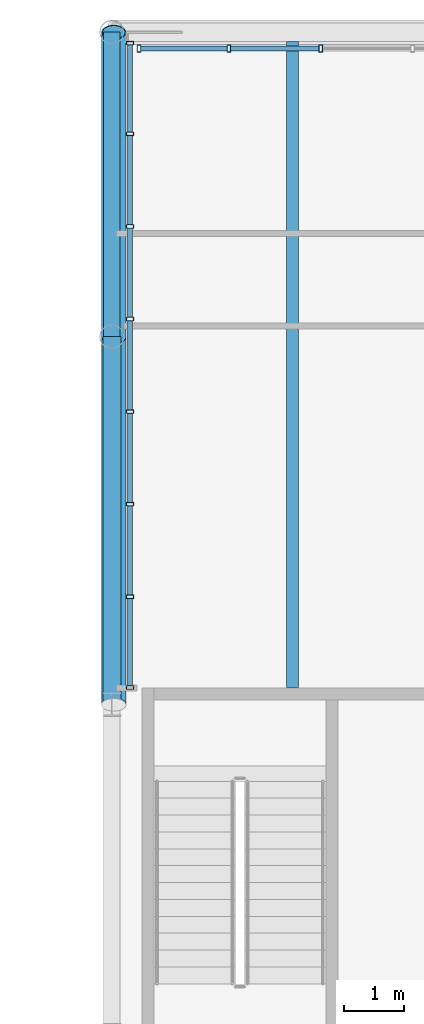
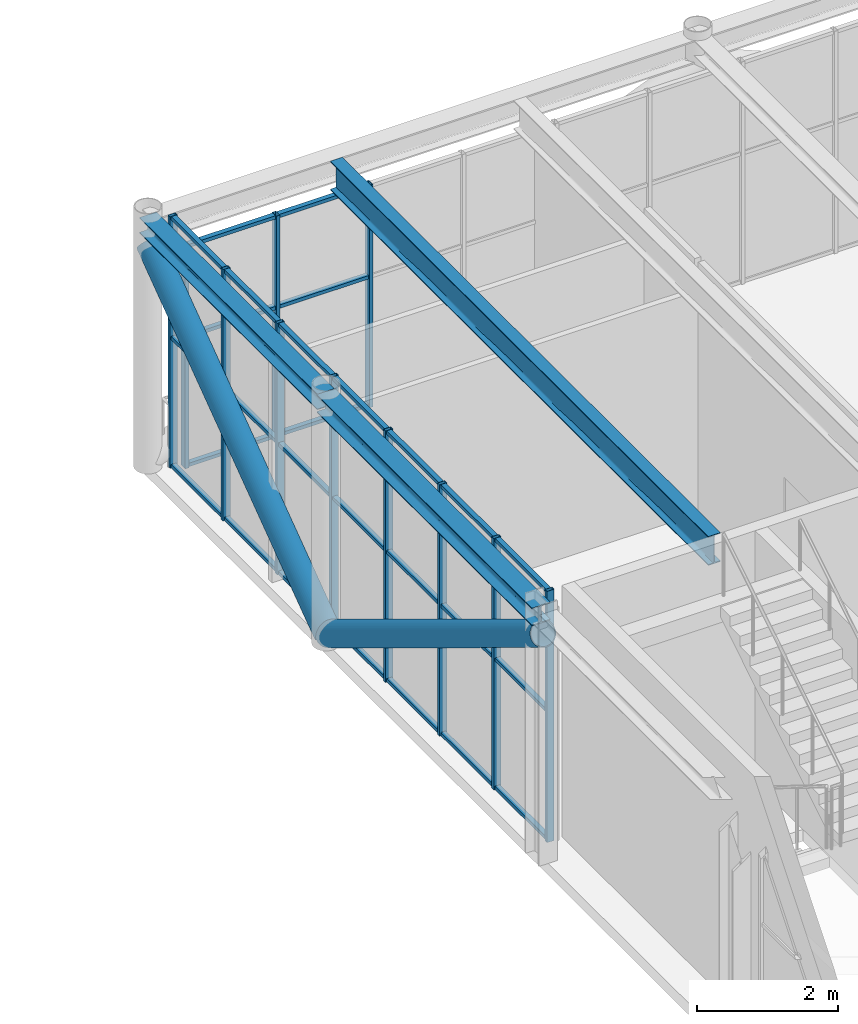
# One storey, part 41 of 149: 40 members, 3 beams, 2 elements without a shape of their own.
"""IFC4 building model written with IfcOpenShell, lengths in metres."""

import ifcopenshell
import ifcopenshell.guid

model = None  # the IFC model being written
_history = None  # IfcOwnerHistory: only IFC2X3 demands one
_inside = {}  # id of a spatial element -> (the spatial element, [elements in it])
_under = {}  # id of a project, library or spatial element -> (it, [spatial elements below it])
_declared = {}  # id of a project -> (the project, [libraries it declares])
_typed = {}  # id of a type object -> (the type object, [elements of that type])
_made_of = {}  # id of a material, layer set ... -> (it, [elements and type objects made of it])


def new_model(schema):
    """Start an empty IFC model of exactly this schema.

    Asked for "IFC4X3", IfcOpenShell would pick the latest addendum, in which some entities
    have other attributes; the version numbers below select the first issue.
    IFC2X3 requires an IfcOwnerHistory on every rooted entity: one is made here for all.
    """
    global model, _history
    if schema == "IFC4X3":
        model = ifcopenshell.file(schema_version=(4, 3, 0, 0))
    else:
        model = ifcopenshell.file(schema=schema)
    _inside.clear()
    _under.clear()
    _declared.clear()
    _typed.clear()
    _made_of.clear()
    _history = None
    if model.schema == "IFC2X3":
        org = make("IfcOrganization", Name="unknown")
        user = make(
            "IfcPersonAndOrganization",
            ThePerson=make("IfcPerson", FamilyName="unknown"),
            TheOrganization=org,
        )
        app = make(
            "IfcApplication",
            ApplicationDeveloper=org,
            Version="unknown",
            ApplicationFullName="unknown",
            ApplicationIdentifier="unknown",
        )
        _history = make(
            "IfcOwnerHistory",
            OwningUser=user,
            OwningApplication=app,
            ChangeAction="ADDED",
            CreationDate=0,
        )
    return model


def make(cls, **values):
    """One entity of the class cls with the attributes given. An attribute that is None is left unset."""
    return model.create_entity(
        cls, **{name: value for name, value in values.items() if value is not None}
    )


def rooted(cls, **values):
    """An entity with a GlobalId (a new one), such as an element, a storey or a relation."""
    return make(cls, GlobalId=ifcopenshell.guid.new(), OwnerHistory=_history, **values)


def si_unit(unit_type, name, prefix=None):
    """IfcSIUnit, for example si_unit("LENGTHUNIT", "METRE", prefix="MILLI")."""
    return make("IfcSIUnit", UnitType=unit_type, Prefix=prefix, Name=name)


def assignment(units):
    """IfcUnitAssignment: the units of a project."""
    return None if units is None else make("IfcUnitAssignment", Units=units)


def point(xyz):
    """IfcCartesianPoint."""
    return None if xyz is None else make("IfcCartesianPoint", Coordinates=xyz)


def direction(xyz):
    """IfcDirection."""
    return None if xyz is None else make("IfcDirection", DirectionRatios=xyz)


def frame(location, z_axis=None, x_axis=None):
    """IfcAxis2Placement3D, a coordinate frame: its origin and axes. An axis left out is left unset."""
    return make(
        "IfcAxis2Placement3D",
        Location=point(location),
        Axis=direction(z_axis),
        RefDirection=direction(x_axis),
    )


def frame_2d(location, x_axis=None):
    """IfcAxis2Placement2D, a coordinate frame in the plane: its origin and x axis."""
    return make(
        "IfcAxis2Placement2D", Location=point(location), RefDirection=direction(x_axis)
    )


def origin():
    """The frame at (0, 0, 0) with its axes left unset."""
    return frame((0.0, 0.0, 0.0))


def origin_2d():
    """The frame at (0, 0) in the plane with its x axis left unset."""
    return frame_2d((0.0, 0.0))


def place(relative_to, where):
    """IfcLocalPlacement: puts the frame where relative to a parent placement (None: the world)."""
    return make(
        "IfcLocalPlacement", PlacementRelTo=relative_to, RelativePlacement=where
    )


def context(
    kind, dimensions, precision=None, world=None, true_north=None, identifier=None
):
    """IfcGeometricRepresentationContext, for example the 3D "Model" context."""
    return make(
        "IfcGeometricRepresentationContext",
        ContextIdentifier=identifier,
        ContextType=kind,
        CoordinateSpaceDimension=dimensions,
        Precision=precision,
        WorldCoordinateSystem=world,
        TrueNorth=true_north,
    )


def subcontext(parent, identifier, kind, view, scale=None):
    """IfcGeometricRepresentationSubContext, for example "Body" below "Model"."""
    return make(
        "IfcGeometricRepresentationSubContext",
        ContextIdentifier=identifier,
        ContextType=kind,
        ParentContext=parent,
        TargetScale=scale,
        TargetView=view,
    )


def project(units=None, contexts=None):
    """IfcProject with its units and contexts."""
    return rooted(
        "IfcProject",
        Name="project",
        RepresentationContexts=contexts,
        UnitsInContext=assignment(units),
    )


def spatial(cls, under=None, at=None, **own):
    """A site, building, storey or space (cls), placed at a placement, below another one or the project."""
    s = rooted(cls, ObjectPlacement=at, **own)
    if under is not None:
        _under.setdefault(under.id(), (under, []))[1].append(s)
    return s


def profile(cls, at=None, kind="AREA", **sizes):
    """A parametric profile (cls). Its sizes go by their IFC names, for example OverallWidth=200.0."""
    return make(cls, ProfileType=kind, Position=at, **sizes)


def hollow_rectangle(**sizes):
    """IfcRectangleHollowProfileDef."""
    return profile("IfcRectangleHollowProfileDef", **sizes)


def hollow_circle(**sizes):
    """IfcCircleHollowProfileDef."""
    return profile("IfcCircleHollowProfileDef", **sizes)


def i_section(**sizes):
    """IfcIShapeProfileDef."""
    return profile("IfcIShapeProfileDef", **sizes)


def extrude(swept, where, along, depth):
    """IfcExtrudedAreaSolid: the profile swept, set in the frame where, extruded along a direction by depth."""
    return make(
        "IfcExtrudedAreaSolid",
        SweptArea=swept,
        Position=where,
        ExtrudedDirection=direction(along),
        Depth=depth,
    )


def shape(context_of_items, identifier, shape_type, items):
    """IfcShapeRepresentation: the items that make up one representation, for example the "Body"."""
    return make(
        "IfcShapeRepresentation",
        ContextOfItems=context_of_items,
        RepresentationIdentifier=identifier,
        RepresentationType=shape_type,
        Items=items,
    )


def material(Name=None, Category=None):
    """IfcMaterial."""
    return make("IfcMaterial", Name=Name, Category=Category)


def layer(
    of_material, thickness, ventilated=None, Name=None, Category=None, Priority=None
):
    """IfcMaterialLayer: one layer of a wall or slab, of a material (None: an air gap)."""
    return make(
        "IfcMaterialLayer",
        Material=of_material,
        LayerThickness=thickness,
        IsVentilated=ventilated,
        Name=Name,
        Category=Category,
        Priority=Priority,
    )


def layer_set(layers, Name=None):
    """IfcMaterialLayerSet."""
    return make("IfcMaterialLayerSet", MaterialLayers=layers, LayerSetName=Name)


def material_profile(
    of_material, cross_section, Name=None, Category=None, Priority=None
):
    """IfcMaterialProfile: a cross section and its material."""
    return make(
        "IfcMaterialProfile",
        Name=Name,
        Material=of_material,
        Profile=cross_section,
        Priority=Priority,
        Category=Category,
    )


def profile_set(profiles, Name=None, composite=None):
    """IfcMaterialProfileSet."""
    return make(
        "IfcMaterialProfileSet",
        Name=Name,
        MaterialProfiles=profiles,
        CompositeProfile=composite,
    )


def made_of(thing, what):
    """Note that an element or type object is made of a material, layer set ...; save() writes the relation."""
    if what is not None:
        _made_of.setdefault(what.id(), (what, []))[1].append(thing)
    return thing


def type_object(cls, material=None, **own):
    """A type object (cls), such as IfcWallType, which elements share."""
    return made_of(rooted(cls, **own), material)


def element(
    cls,
    number,
    at=None,
    inside=None,
    cuts=None,
    type_object=None,
    material=None,
    context=None,
    identifier="Body",
    shape_type=None,
    held_by="IfcProductDefinitionShape",
    body=None,
    shapes=None,
    **own,
):
    """One element of the class cls, such as IfcWall. Its Tag is "e" and its number.

    at: its placement. inside: the storey or other place that contains it. cuts: it is an
    opening in that element (IfcRelVoidsElement). A single representation is given by context,
    identifier, shape_type and body (its items); several are given by shapes. held_by: the class
    of the entity that holds the representations. save() writes the other relations.
    """
    e = rooted(cls, Tag="e%d" % number, ObjectPlacement=at, **own)
    if body is not None:
        shapes = [shape(context, identifier, shape_type, body)]
    if shapes is not None:
        e.Representation = make(held_by, Representations=shapes)
    if inside is not None:
        _inside.setdefault(inside.id(), (inside, []))[1].append(e)
    if cuts is not None:
        rooted(
            "IfcRelVoidsElement", RelatingBuildingElement=cuts, RelatedOpeningElement=e
        )
    if type_object is not None:
        _typed.setdefault(type_object.id(), (type_object, []))[1].append(e)
    return made_of(e, material)


def aggregate(whole, parts):
    """IfcRelAggregates: a whole, such as a stair, and the parts it consists of."""
    return rooted("IfcRelAggregates", RelatingObject=whole, RelatedObjects=parts)


def save(model, path):
    """Write the relations noted so far, then the file.

    IfcRelAggregates (storeys below a building ...), IfcRelContainedInSpatialStructure (elements
    in a storey), IfcRelDefinesByType, IfcRelAssociatesMaterial and IfcRelDeclares: one each for
    every whole, place, type object, material and project.
    """
    for whole, parts in _under.values():
        aggregate(whole, parts)
    for where, things in _inside.values():
        rooted(
            "IfcRelContainedInSpatialStructure",
            RelatedElements=things,
            RelatingStructure=where,
        )
    for kind, things in _typed.values():
        rooted("IfcRelDefinesByType", RelatedObjects=things, RelatingType=kind)
    for what, things in _made_of.values():
        rooted("IfcRelAssociatesMaterial", RelatedObjects=things, RelatingMaterial=what)
    for by, libraries in _declared.values():
        rooted("IfcRelDeclares", RelatingContext=by, RelatedDefinitions=libraries)
    model.write(path)


model = new_model("IFC4")

# Units and contexts
model_context = context("Model", 3, precision=1e-05, world=origin(), true_north=direction((0.0, 1.0)))
body_context = subcontext(model_context, "Body", "Model", "MODEL_VIEW")
ifc_project = project(units=[si_unit("LENGTHUNIT", "METRE"), si_unit("AREAUNIT", "SQUARE_METRE"), si_unit("VOLUMEUNIT", "CUBIC_METRE"), si_unit("PLANEANGLEUNIT", "RADIAN"), si_unit("MASSUNIT", "GRAM", prefix="KILO")], contexts=[model_context])

# Site, building, storey
site_placement = place(None, origin())
site = spatial("IfcSite", under=ifc_project, at=site_placement, CompositionType="ELEMENT")
building_placement = place(site_placement, origin())
building = spatial("IfcBuilding", under=site, at=building_placement, Name="Kallimachos Central Library", CompositionType="ELEMENT")
storey_placement = place(building_placement, frame((0.0, 0.0, 9.89990234375)))
storey = spatial("IfcBuildingStorey", under=building, at=storey_placement, Name="L02", CompositionType="ELEMENT", Elevation=9.89990234375)

# Members
ifc_material_1 = material(Name="Steel S355J2H", Category="steel")
ifc_material_profile_1 = material_profile(ifc_material_1, hollow_circle(Radius=0.203125, WallThickness=0.01611328125, at=origin_2d()), Name="CHS 406.4x16")
ifc_profile_set_1 = profile_set([ifc_material_profile_1], Name="Steel S355J2H")
member_type_1 = type_object("IfcMemberType", Name="CHS 406.4x16 brace", PredefinedType="BRACE", material=ifc_profile_set_1)
member_1_placement = place(storey_placement, frame((65.53173828125, 110.5, 3.85009765625), z_axis=(0.0, 0.855016223334, -0.518601251286), x_axis=(-1.0, 0.0, 0.0)))
element("IfcMember", 1, at=member_1_placement, inside=storey, type_object=member_type_1, Name="Cantilever truss diagonal 65.5 L02.1", PredefinedType="BRACE", context=body_context, shape_type="SweptSolid", body=[
    extrude(hollow_circle(Radius=0.203125, WallThickness=0.01611328125, at=origin_2d()), origin(), (0.0, 0.0, 1.0), 7.134521484375),
])
member_2_placement = place(storey_placement, frame((65.53173828125, 116.60009765625, 0.150146484375), z_axis=(0.0, 0.806651655217, 0.591027162774), x_axis=(-1.0, 0.0, 0.0)))
element("IfcMember", 2, at=member_2_placement, inside=storey, type_object=member_type_1, Name="Cantilever truss diagonal 65.5 L02.2", PredefinedType="BRACE", context=body_context, shape_type="SweptSolid", body=[
    extrude(hollow_circle(Radius=0.203125, WallThickness=0.01611328125, at=origin_2d()), origin(), (0.0, 0.0, 1.0), 6.26025390625),
])

# Curtain wall, members
ifc_material_2 = material(Name="Anodised aluminium and laminated glass", Category="aluminium")
ifc_layer = layer(ifc_material_2, 0.159912109375)
ifc_layer_set = layer_set([ifc_layer], Name="Glass box curtain wall")
curtain_wall_type = type_object("IfcCurtainWallType", Name="Glass box curtain wall", PredefinedType="NOTDEFINED", material=ifc_layer_set)
curtain_wall_1_placement = place(storey_placement, origin())
curtain_wall_1 = element("IfcCurtainWall", 3, at=curtain_wall_1_placement, inside=storey, type_object=curtain_wall_type, Name="Glass box curtain wall W L02", PredefinedType="NOTDEFINED")
ifc_material_3 = material(Name="Anodised aluminium", Category="aluminium")
ifc_material_profile_2 = material_profile(ifc_material_3, hollow_rectangle(XDim=0.06005859375, YDim=0.1201171875, WallThickness=0.00390625, at=origin_2d()), Name="ALU MULLION 60x120")
ifc_profile_set_2 = profile_set([ifc_material_profile_2], Name="Anodised aluminium")
member_type_2 = type_object("IfcMemberType", Name="Glass box mullion 60x120", PredefinedType="MULLION", material=ifc_profile_set_2)
member_3_placement = place(storey_placement, frame((65.800048828125, 110.780029296875, 0.0), z_axis=(0.0, 0.0, 1.0), x_axis=(0.0, 1.0, 0.0)))
member_3 = element("IfcMember", 4, at=member_3_placement, type_object=member_type_2, Name="CW16 mullion 1", PredefinedType="MULLION", context=body_context, shape_type="SweptSolid", body=[
    extrude(hollow_rectangle(XDim=0.06005859375, YDim=0.1201171875, WallThickness=0.00390625, at=origin_2d()), origin(), (0.0, 0.0, 1.0), 4.35009765625),
])
member_4_placement = place(storey_placement, frame((65.800048828125, 112.28564453125, 0.0), z_axis=(0.0, 0.0, 1.0), x_axis=(0.0, 1.0, 0.0)))
member_4 = element("IfcMember", 5, at=member_4_placement, type_object=member_type_2, Name="CW16 mullion 2", PredefinedType="MULLION", context=body_context, shape_type="SweptSolid", body=[
    extrude(hollow_rectangle(XDim=0.06005859375, YDim=0.1201171875, WallThickness=0.00390625, at=origin_2d()), origin(), (0.0, 0.0, 1.0), 4.35009765625),
])
member_5_placement = place(storey_placement, frame((65.800048828125, 113.821533203125, 0.0), z_axis=(0.0, 0.0, 1.0), x_axis=(0.0, 1.0, 0.0)))
member_5 = element("IfcMember", 6, at=member_5_placement, type_object=member_type_2, Name="CW16 mullion 3", PredefinedType="MULLION", context=body_context, shape_type="SweptSolid", body=[
    extrude(hollow_rectangle(XDim=0.06005859375, YDim=0.1201171875, WallThickness=0.00390625, at=origin_2d()), origin(), (0.0, 0.0, 1.0), 4.35009765625),
])
member_6_placement = place(storey_placement, frame((65.800048828125, 115.357177734375, 0.0), z_axis=(0.0, 0.0, 1.0), x_axis=(0.0, 1.0, 0.0)))
member_6 = element("IfcMember", 7, at=member_6_placement, type_object=member_type_2, Name="CW16 mullion 4", PredefinedType="MULLION", context=body_context, shape_type="SweptSolid", body=[
    extrude(hollow_rectangle(XDim=0.06005859375, YDim=0.1201171875, WallThickness=0.00390625, at=origin_2d()), origin(), (0.0, 0.0, 1.0), 4.35009765625),
])
member_7_placement = place(storey_placement, frame((65.800048828125, 116.892822265625, 0.0), z_axis=(0.0, 0.0, 1.0), x_axis=(0.0, 1.0, 0.0)))
member_7 = element("IfcMember", 8, at=member_7_placement, type_object=member_type_2, Name="CW16 mullion 5", PredefinedType="MULLION", context=body_context, shape_type="SweptSolid", body=[
    extrude(hollow_rectangle(XDim=0.06005859375, YDim=0.1201171875, WallThickness=0.00390625, at=origin_2d()), origin(), (0.0, 0.0, 1.0), 4.35009765625),
])
member_8_placement = place(storey_placement, frame((65.800048828125, 118.428466796875, 0.0), z_axis=(0.0, 0.0, 1.0), x_axis=(0.0, 1.0, 0.0)))
member_8 = element("IfcMember", 9, at=member_8_placement, type_object=member_type_2, Name="CW16 mullion 6", PredefinedType="MULLION", context=body_context, shape_type="SweptSolid", body=[
    extrude(hollow_rectangle(XDim=0.06005859375, YDim=0.1201171875, WallThickness=0.00390625, at=origin_2d()), origin(), (0.0, 0.0, 1.0), 4.35009765625),
])
member_9_placement = place(storey_placement, frame((65.800048828125, 119.96435546875, 0.0), z_axis=(0.0, 0.0, 1.0), x_axis=(0.0, 1.0, 0.0)))
member_9 = element("IfcMember", 10, at=member_9_placement, type_object=member_type_2, Name="CW16 mullion 7", PredefinedType="MULLION", context=body_context, shape_type="SweptSolid", body=[
    extrude(hollow_rectangle(XDim=0.06005859375, YDim=0.1201171875, WallThickness=0.00390625, at=origin_2d()), origin(), (0.0, 0.0, 1.0), 4.35009765625),
])
member_10_placement = place(storey_placement, frame((65.800048828125, 121.469970703125, 0.0), z_axis=(0.0, 0.0, 1.0), x_axis=(0.0, 1.0, 0.0)))
member_10 = element("IfcMember", 11, at=member_10_placement, type_object=member_type_2, Name="CW16 mullion 8", PredefinedType="MULLION", context=body_context, shape_type="SweptSolid", body=[
    extrude(hollow_rectangle(XDim=0.06005859375, YDim=0.1201171875, WallThickness=0.00390625, at=origin_2d()), origin(), (0.0, 0.0, 1.0), 4.35009765625),
])

curtain_wall_2_placement = place(storey_placement, origin())
curtain_wall_2 = element("IfcCurtainWall", 12, at=curtain_wall_2_placement, inside=storey, type_object=curtain_wall_type, Name="Glass box curtain wall N L02", PredefinedType="NOTDEFINED")
member_11_placement = place(storey_placement, frame((65.949951171875, 121.3798828125, 0.0), z_axis=(0.0, 0.0, 1.0), x_axis=(1.0, 0.0, 0.0)))
member_11 = element("IfcMember", 13, at=member_11_placement, type_object=member_type_2, Name="CW20 mullion 1", PredefinedType="MULLION", context=body_context, shape_type="SweptSolid", body=[
    extrude(hollow_rectangle(XDim=0.06005859375, YDim=0.1201171875, WallThickness=0.00390625, at=origin_2d()), origin(), (0.0, 0.0, 1.0), 3.85009765625),
])
member_12_placement = place(storey_placement, frame((67.44287109375, 121.3798828125, 0.0), z_axis=(0.0, 0.0, 1.0), x_axis=(1.0, 0.0, 0.0)))
member_12 = element("IfcMember", 14, at=member_12_placement, type_object=member_type_2, Name="CW20 mullion 2", PredefinedType="MULLION", context=body_context, shape_type="SweptSolid", body=[
    extrude(hollow_rectangle(XDim=0.06005859375, YDim=0.1201171875, WallThickness=0.00390625, at=origin_2d()), origin(), (0.0, 0.0, 1.0), 3.85009765625),
])
member_13_placement = place(storey_placement, frame((68.965576171875, 121.3798828125, 0.0), z_axis=(0.0, 0.0, 1.0), x_axis=(1.0, 0.0, 0.0)))
member_13 = element("IfcMember", 15, at=member_13_placement, type_object=member_type_2, Name="CW20 mullion 3", PredefinedType="MULLION", context=body_context, shape_type="SweptSolid", body=[
    extrude(hollow_rectangle(XDim=0.06005859375, YDim=0.1201171875, WallThickness=0.00390625, at=origin_2d()), origin(), (0.0, 0.0, 1.0), 3.85009765625),
])

# Member
ifc_material_4 = material(Name="Anodised aluminium", Category="aluminium")
ifc_material_profile_3 = material_profile(ifc_material_4, hollow_rectangle(XDim=0.06005859375, YDim=0.080078125, WallThickness=0.00390625, at=origin_2d()), Name="ALU TRANSOM 60x80")
ifc_profile_set_3 = profile_set([ifc_material_profile_3], Name="Anodised aluminium")
member_type_3 = type_object("IfcMemberType", Name="Glass box transom 60x80", PredefinedType="USERDEFINED", material=ifc_profile_set_3)
member_14_placement = place(storey_placement, frame((65.800048828125, 110.81005859375, 0.030029296875), z_axis=(0.0, 1.0, 0.0), x_axis=(0.0, 0.0, 1.0)))
member_14 = element("IfcMember", 16, at=member_14_placement, type_object=member_type_3, Name="CW16 transom 1.1", ObjectType="TRANSOM", PredefinedType="USERDEFINED", context=body_context, shape_type="SweptSolid", body=[
    extrude(hollow_rectangle(XDim=0.06005859375, YDim=0.080078125, WallThickness=0.00390625, at=origin_2d()), origin(), (0.0, 0.0, 1.0), 1.445556640625),
])

member_15_placement = place(storey_placement, frame((65.800048828125, 110.81005859375, 2.25), z_axis=(0.0, 1.0, 0.0), x_axis=(0.0, 0.0, 1.0)))
member_15 = element("IfcMember", 17, at=member_15_placement, type_object=member_type_3, Name="CW16 transom 1.2", ObjectType="TRANSOM", PredefinedType="USERDEFINED", context=body_context, shape_type="SweptSolid", body=[
    extrude(hollow_rectangle(XDim=0.06005859375, YDim=0.080078125, WallThickness=0.00390625, at=origin_2d()), origin(), (0.0, 0.0, 1.0), 1.445556640625),
])

member_16_placement = place(storey_placement, frame((65.800048828125, 110.81005859375, 4.320068359375), z_axis=(0.0, 1.0, 0.0), x_axis=(0.0, 0.0, 1.0)))
member_16 = element("IfcMember", 18, at=member_16_placement, type_object=member_type_3, Name="CW16 transom 1.3", ObjectType="TRANSOM", PredefinedType="USERDEFINED", context=body_context, shape_type="SweptSolid", body=[
    extrude(hollow_rectangle(XDim=0.06005859375, YDim=0.080078125, WallThickness=0.00390625, at=origin_2d()), origin(), (0.0, 0.0, 1.0), 1.445556640625),
])

member_17_placement = place(storey_placement, frame((65.800048828125, 112.315673828125, 0.030029296875), z_axis=(0.0, 1.0, 0.0), x_axis=(0.0, 0.0, 1.0)))
member_17 = element("IfcMember", 19, at=member_17_placement, type_object=member_type_3, Name="CW16 transom 2.1", ObjectType="TRANSOM", PredefinedType="USERDEFINED", context=body_context, shape_type="SweptSolid", body=[
    extrude(hollow_rectangle(XDim=0.06005859375, YDim=0.080078125, WallThickness=0.00390625, at=origin_2d()), origin(), (0.0, 0.0, 1.0), 1.475830078125),
])

member_18_placement = place(storey_placement, frame((65.800048828125, 112.315673828125, 2.25), z_axis=(0.0, 1.0, 0.0), x_axis=(0.0, 0.0, 1.0)))
member_18 = element("IfcMember", 20, at=member_18_placement, type_object=member_type_3, Name="CW16 transom 2.2", ObjectType="TRANSOM", PredefinedType="USERDEFINED", context=body_context, shape_type="SweptSolid", body=[
    extrude(hollow_rectangle(XDim=0.06005859375, YDim=0.080078125, WallThickness=0.00390625, at=origin_2d()), origin(), (0.0, 0.0, 1.0), 1.475830078125),
])

member_19_placement = place(storey_placement, frame((65.800048828125, 112.315673828125, 4.320068359375), z_axis=(0.0, 1.0, 0.0), x_axis=(0.0, 0.0, 1.0)))
member_19 = element("IfcMember", 21, at=member_19_placement, type_object=member_type_3, Name="CW16 transom 2.3", ObjectType="TRANSOM", PredefinedType="USERDEFINED", context=body_context, shape_type="SweptSolid", body=[
    extrude(hollow_rectangle(XDim=0.06005859375, YDim=0.080078125, WallThickness=0.00390625, at=origin_2d()), origin(), (0.0, 0.0, 1.0), 1.475830078125),
])

member_20_placement = place(storey_placement, frame((65.800048828125, 113.851318359375, 0.030029296875), z_axis=(0.0, 1.0, 0.0), x_axis=(0.0, 0.0, 1.0)))
member_20 = element("IfcMember", 22, at=member_20_placement, type_object=member_type_3, Name="CW16 transom 3.1", ObjectType="TRANSOM", PredefinedType="USERDEFINED", context=body_context, shape_type="SweptSolid", body=[
    extrude(hollow_rectangle(XDim=0.06005859375, YDim=0.080078125, WallThickness=0.00390625, at=origin_2d()), origin(), (0.0, 0.0, 1.0), 1.475830078125),
])

member_21_placement = place(storey_placement, frame((65.800048828125, 113.851318359375, 2.25), z_axis=(0.0, 1.0, 0.0), x_axis=(0.0, 0.0, 1.0)))
member_21 = element("IfcMember", 23, at=member_21_placement, type_object=member_type_3, Name="CW16 transom 3.2", ObjectType="TRANSOM", PredefinedType="USERDEFINED", context=body_context, shape_type="SweptSolid", body=[
    extrude(hollow_rectangle(XDim=0.06005859375, YDim=0.080078125, WallThickness=0.00390625, at=origin_2d()), origin(), (0.0, 0.0, 1.0), 1.475830078125),
])

member_22_placement = place(storey_placement, frame((65.800048828125, 113.851318359375, 4.320068359375), z_axis=(0.0, 1.0, 0.0), x_axis=(0.0, 0.0, 1.0)))
member_22 = element("IfcMember", 24, at=member_22_placement, type_object=member_type_3, Name="CW16 transom 3.3", ObjectType="TRANSOM", PredefinedType="USERDEFINED", context=body_context, shape_type="SweptSolid", body=[
    extrude(hollow_rectangle(XDim=0.06005859375, YDim=0.080078125, WallThickness=0.00390625, at=origin_2d()), origin(), (0.0, 0.0, 1.0), 1.475830078125),
])

member_23_placement = place(storey_placement, frame((65.800048828125, 115.38720703125, 0.030029296875), z_axis=(0.0, 1.0, 0.0), x_axis=(0.0, 0.0, 1.0)))
member_23 = element("IfcMember", 25, at=member_23_placement, type_object=member_type_3, Name="CW16 transom 4.1", ObjectType="TRANSOM", PredefinedType="USERDEFINED", context=body_context, shape_type="SweptSolid", body=[
    extrude(hollow_rectangle(XDim=0.06005859375, YDim=0.080078125, WallThickness=0.00390625, at=origin_2d()), origin(), (0.0, 0.0, 1.0), 1.4755859375),
])

member_24_placement = place(storey_placement, frame((65.800048828125, 115.38720703125, 2.25), z_axis=(0.0, 1.0, 0.0), x_axis=(0.0, 0.0, 1.0)))
member_24 = element("IfcMember", 26, at=member_24_placement, type_object=member_type_3, Name="CW16 transom 4.2", ObjectType="TRANSOM", PredefinedType="USERDEFINED", context=body_context, shape_type="SweptSolid", body=[
    extrude(hollow_rectangle(XDim=0.06005859375, YDim=0.080078125, WallThickness=0.00390625, at=origin_2d()), origin(), (0.0, 0.0, 1.0), 1.4755859375),
])

member_25_placement = place(storey_placement, frame((65.800048828125, 115.38720703125, 4.320068359375), z_axis=(0.0, 1.0, 0.0), x_axis=(0.0, 0.0, 1.0)))
member_25 = element("IfcMember", 27, at=member_25_placement, type_object=member_type_3, Name="CW16 transom 4.3", ObjectType="TRANSOM", PredefinedType="USERDEFINED", context=body_context, shape_type="SweptSolid", body=[
    extrude(hollow_rectangle(XDim=0.06005859375, YDim=0.080078125, WallThickness=0.00390625, at=origin_2d()), origin(), (0.0, 0.0, 1.0), 1.4755859375),
])

member_26_placement = place(storey_placement, frame((65.800048828125, 116.9228515625, 0.030029296875), z_axis=(0.0, 1.0, 0.0), x_axis=(0.0, 0.0, 1.0)))
member_26 = element("IfcMember", 28, at=member_26_placement, type_object=member_type_3, Name="CW16 transom 5.1", ObjectType="TRANSOM", PredefinedType="USERDEFINED", context=body_context, shape_type="SweptSolid", body=[
    extrude(hollow_rectangle(XDim=0.06005859375, YDim=0.080078125, WallThickness=0.00390625, at=origin_2d()), origin(), (0.0, 0.0, 1.0), 1.475830078125),
])

member_27_placement = place(storey_placement, frame((65.800048828125, 116.9228515625, 2.25), z_axis=(0.0, 1.0, 0.0), x_axis=(0.0, 0.0, 1.0)))
member_27 = element("IfcMember", 29, at=member_27_placement, type_object=member_type_3, Name="CW16 transom 5.2", ObjectType="TRANSOM", PredefinedType="USERDEFINED", context=body_context, shape_type="SweptSolid", body=[
    extrude(hollow_rectangle(XDim=0.06005859375, YDim=0.080078125, WallThickness=0.00390625, at=origin_2d()), origin(), (0.0, 0.0, 1.0), 1.475830078125),
])

member_28_placement = place(storey_placement, frame((65.800048828125, 116.9228515625, 4.320068359375), z_axis=(0.0, 1.0, 0.0), x_axis=(0.0, 0.0, 1.0)))
member_28 = element("IfcMember", 30, at=member_28_placement, type_object=member_type_3, Name="CW16 transom 5.3", ObjectType="TRANSOM", PredefinedType="USERDEFINED", context=body_context, shape_type="SweptSolid", body=[
    extrude(hollow_rectangle(XDim=0.06005859375, YDim=0.080078125, WallThickness=0.00390625, at=origin_2d()), origin(), (0.0, 0.0, 1.0), 1.475830078125),
])

member_29_placement = place(storey_placement, frame((65.800048828125, 118.45849609375, 0.030029296875), z_axis=(0.0, 1.0, 0.0), x_axis=(0.0, 0.0, 1.0)))
member_29 = element("IfcMember", 31, at=member_29_placement, type_object=member_type_3, Name="CW16 transom 6.1", ObjectType="TRANSOM", PredefinedType="USERDEFINED", context=body_context, shape_type="SweptSolid", body=[
    extrude(hollow_rectangle(XDim=0.06005859375, YDim=0.080078125, WallThickness=0.00390625, at=origin_2d()), origin(), (0.0, 0.0, 1.0), 1.475830078125),
])

member_30_placement = place(storey_placement, frame((65.800048828125, 118.45849609375, 2.25), z_axis=(0.0, 1.0, 0.0), x_axis=(0.0, 0.0, 1.0)))
member_30 = element("IfcMember", 32, at=member_30_placement, type_object=member_type_3, Name="CW16 transom 6.2", ObjectType="TRANSOM", PredefinedType="USERDEFINED", context=body_context, shape_type="SweptSolid", body=[
    extrude(hollow_rectangle(XDim=0.06005859375, YDim=0.080078125, WallThickness=0.00390625, at=origin_2d()), origin(), (0.0, 0.0, 1.0), 1.475830078125),
])

member_31_placement = place(storey_placement, frame((65.800048828125, 118.45849609375, 4.320068359375), z_axis=(0.0, 1.0, 0.0), x_axis=(0.0, 0.0, 1.0)))
member_31 = element("IfcMember", 33, at=member_31_placement, type_object=member_type_3, Name="CW16 transom 6.3", ObjectType="TRANSOM", PredefinedType="USERDEFINED", context=body_context, shape_type="SweptSolid", body=[
    extrude(hollow_rectangle(XDim=0.06005859375, YDim=0.080078125, WallThickness=0.00390625, at=origin_2d()), origin(), (0.0, 0.0, 1.0), 1.475830078125),
])

member_32_placement = place(storey_placement, frame((65.800048828125, 119.994384765625, 0.030029296875), z_axis=(0.0, 1.0, 0.0), x_axis=(0.0, 0.0, 1.0)))
member_32 = element("IfcMember", 34, at=member_32_placement, type_object=member_type_3, Name="CW16 transom 7.1", ObjectType="TRANSOM", PredefinedType="USERDEFINED", context=body_context, shape_type="SweptSolid", body=[
    extrude(hollow_rectangle(XDim=0.06005859375, YDim=0.080078125, WallThickness=0.00390625, at=origin_2d()), origin(), (0.0, 0.0, 1.0), 1.445556640625),
])

member_33_placement = place(storey_placement, frame((65.800048828125, 119.994384765625, 2.25), z_axis=(0.0, 1.0, 0.0), x_axis=(0.0, 0.0, 1.0)))
member_33 = element("IfcMember", 35, at=member_33_placement, type_object=member_type_3, Name="CW16 transom 7.2", ObjectType="TRANSOM", PredefinedType="USERDEFINED", context=body_context, shape_type="SweptSolid", body=[
    extrude(hollow_rectangle(XDim=0.06005859375, YDim=0.080078125, WallThickness=0.00390625, at=origin_2d()), origin(), (0.0, 0.0, 1.0), 1.445556640625),
])

member_34_placement = place(storey_placement, frame((65.800048828125, 119.994384765625, 4.320068359375), z_axis=(0.0, 1.0, 0.0), x_axis=(0.0, 0.0, 1.0)))
member_34 = element("IfcMember", 36, at=member_34_placement, type_object=member_type_3, Name="CW16 transom 7.3", ObjectType="TRANSOM", PredefinedType="USERDEFINED", context=body_context, shape_type="SweptSolid", body=[
    extrude(hollow_rectangle(XDim=0.06005859375, YDim=0.080078125, WallThickness=0.00390625, at=origin_2d()), origin(), (0.0, 0.0, 1.0), 1.445556640625),
])

aggregate(curtain_wall_1, [member_3, member_4, member_5, member_6, member_7, member_8, member_9, member_10, member_14, member_15, member_16, member_17, member_18, member_19, member_20, member_21, member_22, member_23, member_24, member_25, member_26, member_27, member_28, member_29, member_30, member_31, member_32, member_33, member_34])

member_35_placement = place(storey_placement, frame((65.97998046875, 121.3798828125, 0.030029296875), z_axis=(1.0, 0.0, 0.0), x_axis=(0.0, 0.0, 1.0)))
member_35 = element("IfcMember", 37, at=member_35_placement, type_object=member_type_3, Name="CW20 transom 1.1", ObjectType="TRANSOM", PredefinedType="USERDEFINED", context=body_context, shape_type="SweptSolid", body=[
    extrude(hollow_rectangle(XDim=0.06005859375, YDim=0.080078125, WallThickness=0.00390625, at=origin_2d()), origin(), (0.0, 0.0, 1.0), 1.432861328125),
])

member_36_placement = place(storey_placement, frame((65.97998046875, 121.3798828125, 2.25), z_axis=(1.0, 0.0, 0.0), x_axis=(0.0, 0.0, 1.0)))
member_36 = element("IfcMember", 38, at=member_36_placement, type_object=member_type_3, Name="CW20 transom 1.2", ObjectType="TRANSOM", PredefinedType="USERDEFINED", context=body_context, shape_type="SweptSolid", body=[
    extrude(hollow_rectangle(XDim=0.06005859375, YDim=0.080078125, WallThickness=0.00390625, at=origin_2d()), origin(), (0.0, 0.0, 1.0), 1.432861328125),
])

member_37_placement = place(storey_placement, frame((65.97998046875, 121.3798828125, 3.820068359375), z_axis=(1.0, 0.0, 0.0), x_axis=(0.0, 0.0, 1.0)))
member_37 = element("IfcMember", 39, at=member_37_placement, type_object=member_type_3, Name="CW20 transom 1.3", ObjectType="TRANSOM", PredefinedType="USERDEFINED", context=body_context, shape_type="SweptSolid", body=[
    extrude(hollow_rectangle(XDim=0.06005859375, YDim=0.080078125, WallThickness=0.00390625, at=origin_2d()), origin(), (0.0, 0.0, 1.0), 1.432861328125),
])

member_38_placement = place(storey_placement, frame((67.47265625, 121.3798828125, 0.030029296875), z_axis=(1.0, 0.0, 0.0), x_axis=(0.0, 0.0, 1.0)))
member_38 = element("IfcMember", 40, at=member_38_placement, type_object=member_type_3, Name="CW20 transom 2.1", ObjectType="TRANSOM", PredefinedType="USERDEFINED", context=body_context, shape_type="SweptSolid", body=[
    extrude(hollow_rectangle(XDim=0.06005859375, YDim=0.080078125, WallThickness=0.00390625, at=origin_2d()), origin(), (0.0, 0.0, 1.0), 1.462890625),
])

member_39_placement = place(storey_placement, frame((67.47265625, 121.3798828125, 2.25), z_axis=(1.0, 0.0, 0.0), x_axis=(0.0, 0.0, 1.0)))
member_39 = element("IfcMember", 41, at=member_39_placement, type_object=member_type_3, Name="CW20 transom 2.2", ObjectType="TRANSOM", PredefinedType="USERDEFINED", context=body_context, shape_type="SweptSolid", body=[
    extrude(hollow_rectangle(XDim=0.06005859375, YDim=0.080078125, WallThickness=0.00390625, at=origin_2d()), origin(), (0.0, 0.0, 1.0), 1.462890625),
])

member_40_placement = place(storey_placement, frame((67.47265625, 121.3798828125, 3.820068359375), z_axis=(1.0, 0.0, 0.0), x_axis=(0.0, 0.0, 1.0)))
member_40 = element("IfcMember", 42, at=member_40_placement, type_object=member_type_3, Name="CW20 transom 2.3", ObjectType="TRANSOM", PredefinedType="USERDEFINED", context=body_context, shape_type="SweptSolid", body=[
    extrude(hollow_rectangle(XDim=0.06005859375, YDim=0.080078125, WallThickness=0.00390625, at=origin_2d()), origin(), (0.0, 0.0, 1.0), 1.462890625),
])

aggregate(curtain_wall_2, [member_11, member_12, member_13, member_35, member_36, member_37, member_38, member_39, member_40])

# Beams
ifc_material_5 = material(Name="Steel S355J2", Category="steel")
ifc_material_profile_4 = material_profile(ifc_material_5, i_section(OverallWidth=0.280029296875, OverallDepth=0.27001953125, WebThickness=0.008056640625, FlangeThickness=0.012939453125, FilletRadius=0.02392578125, at=origin_2d()), Name="HEA 280")
ifc_profile_set_4 = profile_set([ifc_material_profile_4], Name="Steel S355J2")
beam_type_1 = type_object("IfcBeamType", Name="HEA 280 beam", PredefinedType="BEAM", material=ifc_profile_set_4)
beam_1_placement = place(storey_placement, frame((65.5, 116.60009765625, 4.215087890625), z_axis=(0.0, 1.0, 0.0), x_axis=(-1.0, 0.0, 0.0)))
element("IfcBeam", 43, at=beam_1_placement, inside=storey, type_object=beam_type_1, Name="V1-BEM-L02-024", PredefinedType="BEAM", context=body_context, shape_type="SweptSolid", body=[
    extrude(i_section(OverallWidth=0.280029296875, OverallDepth=0.27001953125, WebThickness=0.008056640625, FlangeThickness=0.012939453125, FilletRadius=0.02392578125, at=origin_2d()), origin(), (0.0, 0.0, 1.0), 5.0498046875),
])
ifc_material_6 = material(Name="Steel S355J2", Category="steel")
ifc_material_profile_5 = material_profile(ifc_material_6, i_section(OverallWidth=0.300048828125, OverallDepth=0.31005859375, WebThickness=0.009033203125, FlangeThickness=0.015380859375, FilletRadius=0.027099609375, at=origin_2d()), Name="HEA 320")
ifc_profile_set_5 = profile_set([ifc_material_profile_5], Name="Steel S355J2")
beam_type_2 = type_object("IfcBeamType", Name="HEA 320 beam", PredefinedType="BEAM", material=ifc_profile_set_5)
beam_2_placement = place(storey_placement, frame((65.5, 110.5, 4.195068359375), z_axis=(0.0, 1.0, 0.0), x_axis=(-1.0, 0.0, 0.0)))
element("IfcBeam", 44, at=beam_2_placement, inside=storey, type_object=beam_type_2, Name="V1-BEM-L02-023", PredefinedType="BEAM", context=body_context, shape_type="SweptSolid", body=[
    extrude(i_section(OverallWidth=0.300048828125, OverallDepth=0.31005859375, WebThickness=0.009033203125, FlangeThickness=0.015380859375, FilletRadius=0.027099609375, at=origin_2d()), origin(), (0.0, 0.0, 1.0), 6.10009765625),
])
ifc_material_7 = material(Name="Steel S355J2", Category="steel")
ifc_material_profile_6 = material_profile(ifc_material_7, i_section(OverallWidth=0.199951171875, OverallDepth=0.5, WebThickness=0.01025390625, FlangeThickness=0.01611328125, FilletRadius=0.02099609375, at=origin_2d()), Name="IPE 500")
ifc_profile_set_6 = profile_set([ifc_material_profile_6], Name="Steel S355J2")
beam_type_3 = type_object("IfcBeamType", Name="IPE 500 beam", PredefinedType="BEAM", material=ifc_profile_set_6)
beam_3_placement = place(storey_placement, frame((68.5, 110.780029296875, 4.10009765625), z_axis=(0.0, 1.0, 0.0), x_axis=(-1.0, 0.0, 0.0)))
element("IfcBeam", 45, at=beam_3_placement, inside=storey, type_object=beam_type_3, Name="V1-BEM-L02-050", PredefinedType="BEAM", context=body_context, shape_type="SweptSolid", body=[
    extrude(i_section(OverallWidth=0.199951171875, OverallDepth=0.5, WebThickness=0.01025390625, FlangeThickness=0.01611328125, FilletRadius=0.02099609375, at=origin_2d()), origin(), (0.0, 0.0, 1.0), 10.719970703125),
])

save(model, "model.ifc")
